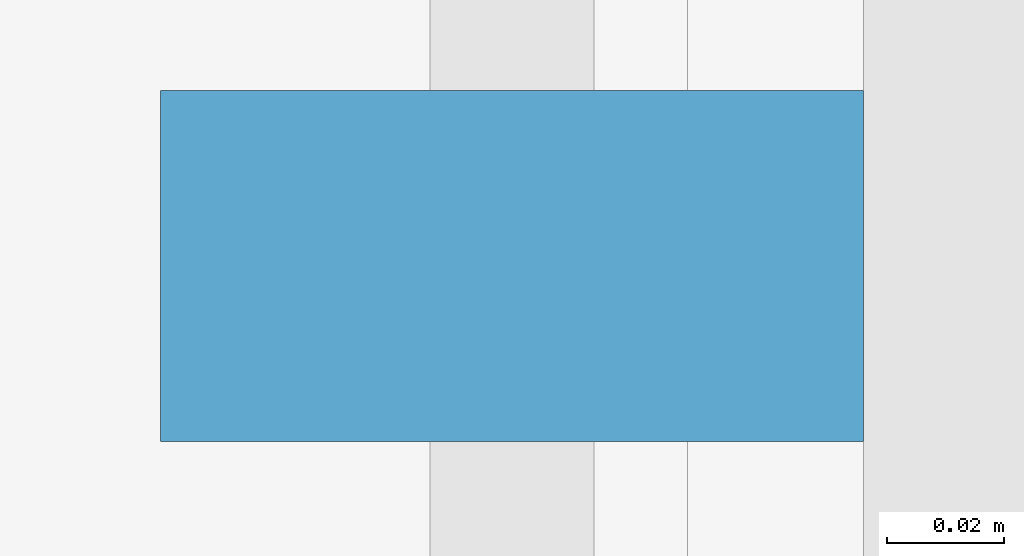
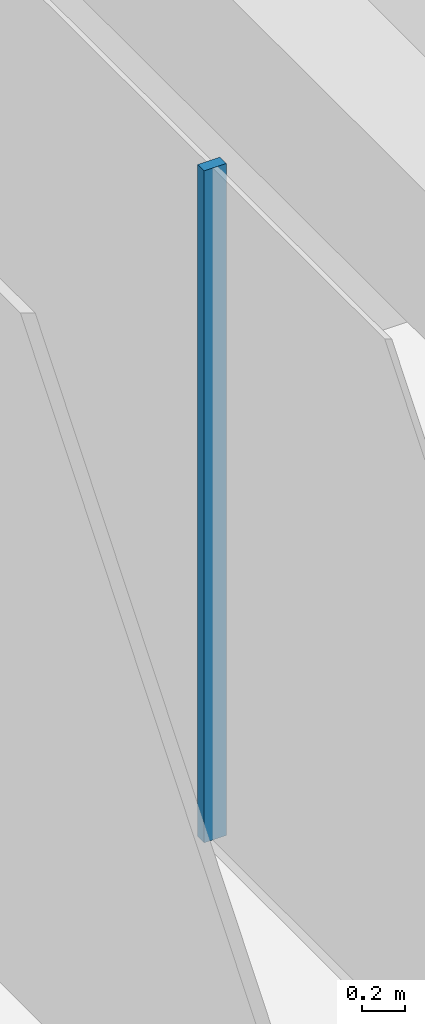
# One storey, part 9 of 19: 1 member, 1 element without a shape of its own.
"""IFC4 building model written with IfcOpenShell, lengths in metres."""

from ifc_helpers import new_model, si_unit, direction, frame, origin, origin_2d, place, context, subcontext, project, spatial, rectangle, extrude, material, layer, layer_set, material_profile, profile_set, type_object, element, aggregate, save


model = new_model("IFC4")

# Units and contexts
model_context = context("Model", 3, precision=1e-05, world=origin(), true_north=direction((0.0, 1.0)))
body_context = subcontext(model_context, "Body", "Model", "MODEL_VIEW")
ifc_project = project(units=[si_unit("LENGTHUNIT", "METRE"), si_unit("AREAUNIT", "SQUARE_METRE"), si_unit("VOLUMEUNIT", "CUBIC_METRE"), si_unit("PLANEANGLEUNIT", "RADIAN"), si_unit("MASSUNIT", "GRAM", prefix="KILO")], contexts=[model_context])

# Site, building, storey
site_placement = place(None, origin())
site = spatial("IfcSite", under=ifc_project, at=site_placement, CompositionType="ELEMENT")
building_placement = place(site_placement, origin())
building = spatial("IfcBuilding", under=site, at=building_placement, Name="Welwitschia Terrace Campus", CompositionType="ELEMENT")
storey_placement = place(building_placement, frame((0.0, 0.0, 230.60009765625)))
storey = spatial("IfcBuildingStorey", under=building, at=storey_placement, Name="L51", CompositionType="ELEMENT", Elevation=230.60009765625)

# Curtain wall, member
ifc_material_1 = material(Name="Bronze anodised aluminium", Category="aluminium")
ifc_layer = layer(ifc_material_1, 0.1201171875)
ifc_layer_set = layer_set([ifc_layer], Name="Bronze anodised aluminium")
curtain_wall_type = type_object("IfcCurtainWallType", Name="Curtain wall CW2 tower 6000", PredefinedType="NOTDEFINED", material=ifc_layer_set)
curtain_wall_placement = place(storey_placement, origin())
curtain_wall = element("IfcCurtainWall", 1, at=curtain_wall_placement, inside=storey, type_object=curtain_wall_type, Name="CW L51.1.0", PredefinedType="NOTDEFINED")
ifc_material_2 = material(Name="Bronze anodised aluminium", Category="aluminium")
ifc_material_profile = material_profile(ifc_material_2, rectangle(XDim=0.1201171875, YDim=0.06005859375, at=origin_2d()))
ifc_profile_set = profile_set([ifc_material_profile], Name="Bronze anodised aluminium")
member_type = type_object("IfcMemberType", Name="Mullion 60x120", PredefinedType="MULLION", material=ifc_profile_set)
member_placement = place(storey_placement, frame((-1.030029296875, 53.74169921875, 0.0), z_axis=(0.0, 0.0, 1.0), x_axis=(1.0, 0.0, 0.0)))
member = element("IfcMember", 2, at=member_placement, type_object=member_type, Name="Mullion L51.1.0.3", PredefinedType="MULLION", context=body_context, shape_type="SweptSolid", body=[
    extrude(rectangle(XDim=0.1201171875, YDim=0.06005859375, at=origin_2d()), origin(), (0.0, 0.0, 1.0), 3.849853515625),
])
aggregate(curtain_wall, [member])

save(model, "model.ifc")
